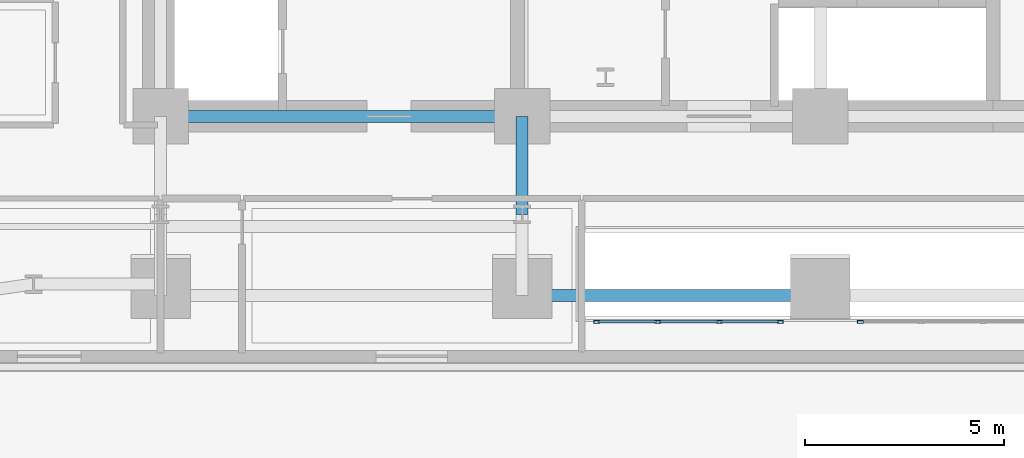
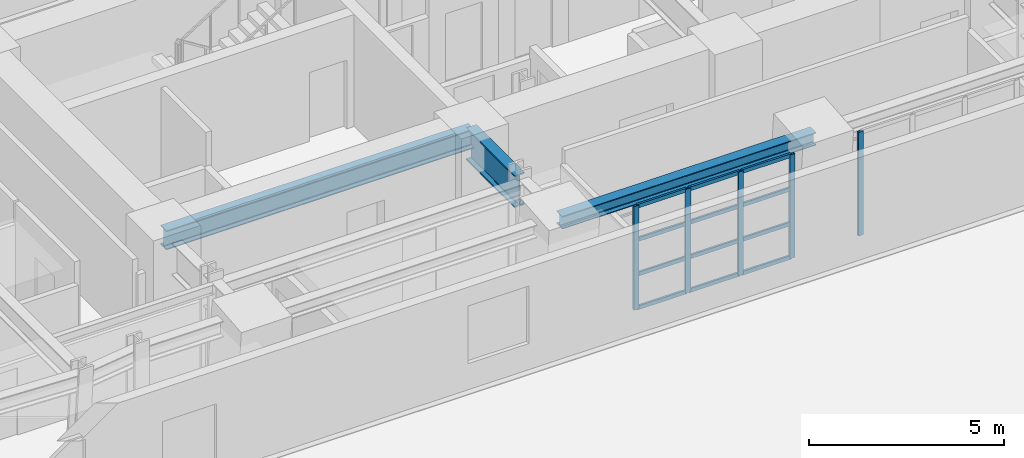
# One storey, part 2 of 15: 17 members, 3 beams, 2 elements without a shape of their own.
"""IFC4 building model written with IfcOpenShell, lengths in metres."""

from ifc_helpers import new_model, si_unit, direction, frame, origin, origin_2d, place, context, subcontext, project, spatial, hollow_rectangle, i_section, extrude, material, layer, layer_set, material_profile, profile_set, type_object, element, aggregate, save


model = new_model("IFC4")

# Units and contexts
model_context = context("Model", 3, precision=1e-05, world=origin(), true_north=direction((0.0, 1.0)))
body_context = subcontext(model_context, "Body", "Model", "MODEL_VIEW")
ifc_project = project(units=[si_unit("LENGTHUNIT", "METRE"), si_unit("AREAUNIT", "SQUARE_METRE"), si_unit("VOLUMEUNIT", "CUBIC_METRE"), si_unit("PLANEANGLEUNIT", "RADIAN"), si_unit("MASSUNIT", "GRAM", prefix="KILO")], contexts=[model_context])

# Site, building, storey
site_placement = place(None, origin())
site = spatial("IfcSite", under=ifc_project, at=site_placement, CompositionType="ELEMENT")
building_placement = place(site_placement, origin())
building = spatial("IfcBuilding", under=site, at=building_placement, Name="Zarnavel Station Tower", CompositionType="ELEMENT")
storey_placement = place(building_placement, frame((0.0, 0.0, 29.0)))
storey = spatial("IfcBuildingStorey", under=building, at=storey_placement, Name="L07", CompositionType="ELEMENT", Elevation=29.0)

# Curtain wall, members
ifc_material_1 = material(Name="Aluminium Dark Anodised and Solar-Control Glass", Category="aluminium")
ifc_layer = layer(ifc_material_1, 0.179931640625)
ifc_layer_set = layer_set([ifc_layer], Name="CWS2")
curtain_wall_type = type_object("IfcCurtainWallType", Name="CWS2", PredefinedType="NOTDEFINED", material=ifc_layer_set)
curtain_wall_1_placement = place(storey_placement, origin())
curtain_wall_1 = element("IfcCurtainWall", 1, at=curtain_wall_1_placement, inside=storey, type_object=curtain_wall_type, Name="L07 Curtain Wall CWS2-L07-AS-S1", PredefinedType="NOTDEFINED")
ifc_material_2 = material(Name="Steel S355J2 (Black Fluoropolymer Coated)", Category="steel")
ifc_material_profile_1 = material_profile(ifc_material_2, hollow_rectangle(XDim=0.074951171875, YDim=0.14990234375, WallThickness=0.00634765625, at=origin_2d()), Name="RHS150x75x6.3")
ifc_profile_set_1 = profile_set([ifc_material_profile_1], Name="Steel S355J2 (Black Fluoropolymer Coated)")
member_type_1 = type_object("IfcMemberType", Name="CWS2_MUL", PredefinedType="MULLION", material=ifc_profile_set_1)
member_1_placement = place(storey_placement, frame((23.179931640625, 22.64990234375, 0.0), z_axis=(0.0, 0.0, 1.0), x_axis=(0.0, 1.0, 0.0)))
member_1 = element("IfcMember", 2, at=member_1_placement, type_object=member_type_1, Name="CW2 mullion 1", PredefinedType="MULLION", context=body_context, shape_type="SweptSolid", body=[
    extrude(hollow_rectangle(XDim=0.074951171875, YDim=0.14990234375, WallThickness=0.00634765625, at=origin_2d()), origin(), (0.0, 0.0, 1.0), 3.239990234375),
])
member_2_placement = place(storey_placement, frame((24.706787109375, 22.64990234375, 0.0), z_axis=(0.0, 0.0, 1.0), x_axis=(0.0, 1.0, 0.0)))
member_2 = element("IfcMember", 3, at=member_2_placement, type_object=member_type_1, Name="CW2 mullion 2", PredefinedType="MULLION", context=body_context, shape_type="SweptSolid", body=[
    extrude(hollow_rectangle(XDim=0.074951171875, YDim=0.14990234375, WallThickness=0.00634765625, at=origin_2d()), origin(), (0.0, 0.0, 1.0), 3.239990234375),
])
member_3_placement = place(storey_placement, frame((26.263427734375, 22.64990234375, 0.0), z_axis=(0.0, 0.0, 1.0), x_axis=(0.0, 1.0, 0.0)))
member_3 = element("IfcMember", 4, at=member_3_placement, type_object=member_type_1, Name="CW2 mullion 3", PredefinedType="MULLION", context=body_context, shape_type="SweptSolid", body=[
    extrude(hollow_rectangle(XDim=0.074951171875, YDim=0.14990234375, WallThickness=0.00634765625, at=origin_2d()), origin(), (0.0, 0.0, 1.0), 3.239990234375),
])
member_4_placement = place(storey_placement, frame((27.7900390625, 22.64990234375, 0.0), z_axis=(0.0, 0.0, 1.0), x_axis=(0.0, 1.0, 0.0)))
member_4 = element("IfcMember", 5, at=member_4_placement, type_object=member_type_1, Name="CW2 mullion 4", PredefinedType="MULLION", context=body_context, shape_type="SweptSolid", body=[
    extrude(hollow_rectangle(XDim=0.074951171875, YDim=0.14990234375, WallThickness=0.00634765625, at=origin_2d()), origin(), (0.0, 0.0, 1.0), 3.239990234375),
])

# Curtain wall, member
curtain_wall_2_placement = place(storey_placement, origin())
curtain_wall_2 = element("IfcCurtainWall", 6, at=curtain_wall_2_placement, inside=storey, type_object=curtain_wall_type, Name="L07 Curtain Wall CWS2-L07-AS-S2", PredefinedType="NOTDEFINED")
member_5_placement = place(storey_placement, frame((29.81005859375, 22.64990234375, 0.0), z_axis=(0.0, 0.0, 1.0), x_axis=(0.0, 1.0, 0.0)))
member_5 = element("IfcMember", 7, at=member_5_placement, type_object=member_type_1, Name="CW2 mullion 1", PredefinedType="MULLION", context=body_context, shape_type="SweptSolid", body=[
    extrude(hollow_rectangle(XDim=0.074951171875, YDim=0.14990234375, WallThickness=0.00634765625, at=origin_2d()), origin(), (0.0, 0.0, 1.0), 3.239990234375),
])
aggregate(curtain_wall_2, [member_5])

# Member
ifc_material_3 = material(Name="Steel S355J2 (Black Fluoropolymer Coated)", Category="steel")
ifc_material_profile_2 = material_profile(ifc_material_3, hollow_rectangle(XDim=0.06005859375, YDim=0.1201171875, WallThickness=0.0048828125, at=origin_2d()), Name="RHS120x60x5")
ifc_profile_set_2 = profile_set([ifc_material_profile_2], Name="Steel S355J2 (Black Fluoropolymer Coated)")
member_type_2 = type_object("IfcMemberType", Name="CWS2_TRN", PredefinedType="USERDEFINED", material=ifc_profile_set_2)
member_6_placement = place(storey_placement, frame((23.2099609375, 22.64990234375, 0.030029296875), z_axis=(1.0, 0.0, 0.0), x_axis=(0.0, 1.0, 0.0)))
member_6 = element("IfcMember", 8, at=member_6_placement, type_object=member_type_2, Name="CW2 transom 1.1", ObjectType="TRANSOM", PredefinedType="USERDEFINED", context=body_context, shape_type="SweptSolid", body=[
    extrude(hollow_rectangle(XDim=0.06005859375, YDim=0.1201171875, WallThickness=0.0048828125, at=origin_2d()), origin(), (0.0, 0.0, 1.0), 1.466796875),
])

member_7_placement = place(storey_placement, frame((23.2099609375, 22.64990234375, 1.080078125), z_axis=(1.0, 0.0, 0.0), x_axis=(0.0, 1.0, 0.0)))
member_7 = element("IfcMember", 9, at=member_7_placement, type_object=member_type_2, Name="CW2 transom 1.2", ObjectType="TRANSOM", PredefinedType="USERDEFINED", context=body_context, shape_type="SweptSolid", body=[
    extrude(hollow_rectangle(XDim=0.06005859375, YDim=0.1201171875, WallThickness=0.0048828125, at=origin_2d()), origin(), (0.0, 0.0, 1.0), 1.466796875),
])

member_8_placement = place(storey_placement, frame((23.2099609375, 22.64990234375, 2.159912109375), z_axis=(1.0, 0.0, 0.0), x_axis=(0.0, 1.0, 0.0)))
member_8 = element("IfcMember", 10, at=member_8_placement, type_object=member_type_2, Name="CW2 transom 1.3", ObjectType="TRANSOM", PredefinedType="USERDEFINED", context=body_context, shape_type="SweptSolid", body=[
    extrude(hollow_rectangle(XDim=0.06005859375, YDim=0.1201171875, WallThickness=0.0048828125, at=origin_2d()), origin(), (0.0, 0.0, 1.0), 1.466796875),
])

member_9_placement = place(storey_placement, frame((23.2099609375, 22.64990234375, 3.2099609375), z_axis=(1.0, 0.0, 0.0), x_axis=(0.0, 1.0, 0.0)))
member_9 = element("IfcMember", 11, at=member_9_placement, type_object=member_type_2, Name="CW2 transom 1.4", ObjectType="TRANSOM", PredefinedType="USERDEFINED", context=body_context, shape_type="SweptSolid", body=[
    extrude(hollow_rectangle(XDim=0.06005859375, YDim=0.1201171875, WallThickness=0.0048828125, at=origin_2d()), origin(), (0.0, 0.0, 1.0), 1.466796875),
])

member_10_placement = place(storey_placement, frame((24.736572265625, 22.64990234375, 0.030029296875), z_axis=(1.0, 0.0, 0.0), x_axis=(0.0, 1.0, 0.0)))
member_10 = element("IfcMember", 12, at=member_10_placement, type_object=member_type_2, Name="CW2 transom 2.1", ObjectType="TRANSOM", PredefinedType="USERDEFINED", context=body_context, shape_type="SweptSolid", body=[
    extrude(hollow_rectangle(XDim=0.06005859375, YDim=0.1201171875, WallThickness=0.0048828125, at=origin_2d()), origin(), (0.0, 0.0, 1.0), 1.496826171875),
])

member_11_placement = place(storey_placement, frame((24.736572265625, 22.64990234375, 1.080078125), z_axis=(1.0, 0.0, 0.0), x_axis=(0.0, 1.0, 0.0)))
member_11 = element("IfcMember", 13, at=member_11_placement, type_object=member_type_2, Name="CW2 transom 2.2", ObjectType="TRANSOM", PredefinedType="USERDEFINED", context=body_context, shape_type="SweptSolid", body=[
    extrude(hollow_rectangle(XDim=0.06005859375, YDim=0.1201171875, WallThickness=0.0048828125, at=origin_2d()), origin(), (0.0, 0.0, 1.0), 1.496826171875),
])

member_12_placement = place(storey_placement, frame((24.736572265625, 22.64990234375, 2.159912109375), z_axis=(1.0, 0.0, 0.0), x_axis=(0.0, 1.0, 0.0)))
member_12 = element("IfcMember", 14, at=member_12_placement, type_object=member_type_2, Name="CW2 transom 2.3", ObjectType="TRANSOM", PredefinedType="USERDEFINED", context=body_context, shape_type="SweptSolid", body=[
    extrude(hollow_rectangle(XDim=0.06005859375, YDim=0.1201171875, WallThickness=0.0048828125, at=origin_2d()), origin(), (0.0, 0.0, 1.0), 1.496826171875),
])

member_13_placement = place(storey_placement, frame((24.736572265625, 22.64990234375, 3.2099609375), z_axis=(1.0, 0.0, 0.0), x_axis=(0.0, 1.0, 0.0)))
member_13 = element("IfcMember", 15, at=member_13_placement, type_object=member_type_2, Name="CW2 transom 2.4", ObjectType="TRANSOM", PredefinedType="USERDEFINED", context=body_context, shape_type="SweptSolid", body=[
    extrude(hollow_rectangle(XDim=0.06005859375, YDim=0.1201171875, WallThickness=0.0048828125, at=origin_2d()), origin(), (0.0, 0.0, 1.0), 1.496826171875),
])

member_14_placement = place(storey_placement, frame((26.293212890625, 22.64990234375, 0.030029296875), z_axis=(1.0, 0.0, 0.0), x_axis=(0.0, 1.0, 0.0)))
member_14 = element("IfcMember", 16, at=member_14_placement, type_object=member_type_2, Name="CW2 transom 3.1", ObjectType="TRANSOM", PredefinedType="USERDEFINED", context=body_context, shape_type="SweptSolid", body=[
    extrude(hollow_rectangle(XDim=0.06005859375, YDim=0.1201171875, WallThickness=0.0048828125, at=origin_2d()), origin(), (0.0, 0.0, 1.0), 1.466796875),
])

member_15_placement = place(storey_placement, frame((26.293212890625, 22.64990234375, 1.080078125), z_axis=(1.0, 0.0, 0.0), x_axis=(0.0, 1.0, 0.0)))
member_15 = element("IfcMember", 17, at=member_15_placement, type_object=member_type_2, Name="CW2 transom 3.2", ObjectType="TRANSOM", PredefinedType="USERDEFINED", context=body_context, shape_type="SweptSolid", body=[
    extrude(hollow_rectangle(XDim=0.06005859375, YDim=0.1201171875, WallThickness=0.0048828125, at=origin_2d()), origin(), (0.0, 0.0, 1.0), 1.466796875),
])

member_16_placement = place(storey_placement, frame((26.293212890625, 22.64990234375, 2.159912109375), z_axis=(1.0, 0.0, 0.0), x_axis=(0.0, 1.0, 0.0)))
member_16 = element("IfcMember", 18, at=member_16_placement, type_object=member_type_2, Name="CW2 transom 3.3", ObjectType="TRANSOM", PredefinedType="USERDEFINED", context=body_context, shape_type="SweptSolid", body=[
    extrude(hollow_rectangle(XDim=0.06005859375, YDim=0.1201171875, WallThickness=0.0048828125, at=origin_2d()), origin(), (0.0, 0.0, 1.0), 1.466796875),
])

member_17_placement = place(storey_placement, frame((26.293212890625, 22.64990234375, 3.2099609375), z_axis=(1.0, 0.0, 0.0), x_axis=(0.0, 1.0, 0.0)))
member_17 = element("IfcMember", 19, at=member_17_placement, type_object=member_type_2, Name="CW2 transom 3.4", ObjectType="TRANSOM", PredefinedType="USERDEFINED", context=body_context, shape_type="SweptSolid", body=[
    extrude(hollow_rectangle(XDim=0.06005859375, YDim=0.1201171875, WallThickness=0.0048828125, at=origin_2d()), origin(), (0.0, 0.0, 1.0), 1.466796875),
])

aggregate(curtain_wall_1, [member_1, member_2, member_3, member_4, member_6, member_7, member_8, member_9, member_10, member_11, member_12, member_13, member_14, member_15, member_16, member_17])

# Beams
ifc_material_4 = material(Name="Steel S355J2", Category="steel")
ifc_material_profile_3 = material_profile(ifc_material_4, i_section(OverallWidth=0.300048828125, OverallDepth=0.39990234375, WebThickness=0.013427734375, FlangeThickness=0.02392578125, FilletRadius=0.027099609375, at=origin_2d()), Name="HEB400")
ifc_profile_set_3 = profile_set([ifc_material_profile_3], Name="Steel S355J2")
beam_type_1 = type_object("IfcBeamType", Name="EB_HEB400", PredefinedType="SPANDREL", material=ifc_profile_set_3)
beam_1_placement = place(storey_placement, frame((21.300048828125, 23.306396484375, 3.0400390625), z_axis=(1.0, 0.0, 0.0), x_axis=(0.0, 1.0, 0.0)))
element("IfcBeam", 20, at=beam_1_placement, inside=storey, type_object=beam_type_1, Name="L07 South Raked Spandrel 2", PredefinedType="SPANDREL", context=body_context, shape_type="SweptSolid", body=[
    extrude(i_section(OverallWidth=0.300048828125, OverallDepth=0.39990234375, WebThickness=0.013427734375, FlangeThickness=0.02392578125, FilletRadius=0.027099609375, at=origin_2d()), origin(), (0.0, 0.0, 1.0), 7.5),
])
ifc_material_5 = material(Name="Steel S355J2", Category="steel")
ifc_material_profile_4 = material_profile(ifc_material_5, i_section(OverallWidth=0.300048828125, OverallDepth=0.60009765625, WebThickness=0.015380859375, FlangeThickness=0.030029296875, FilletRadius=0.027099609375, at=origin_2d()), Name="HEB600")
ifc_profile_set_4 = profile_set([ifc_material_profile_4], Name="Steel S355J2")
beam_type_2 = type_object("IfcBeamType", Name="FG_HEB600", PredefinedType="USERDEFINED", material=ifc_profile_set_4)
beam_2_placement = place(storey_placement, frame((12.199951171875, 27.820068359375, 2.93994140625), z_axis=(1.0, 0.0, 0.0), x_axis=(0.0, 1.0, 0.0)))
element("IfcBeam", 21, at=beam_2_placement, inside=storey, type_object=beam_type_2, Name="L07 Core Front Coupling Beam 1", ObjectType="GIRDER", PredefinedType="USERDEFINED", context=body_context, shape_type="SweptSolid", body=[
    extrude(i_section(OverallWidth=0.300048828125, OverallDepth=0.60009765625, WebThickness=0.015380859375, FlangeThickness=0.030029296875, FilletRadius=0.027099609375, at=origin_2d()), origin(), (0.0, 0.0, 1.0), 9.10009765625),
])
ifc_material_6 = material(Name="Steel S460M", Category="steel")
ifc_material_profile_5 = material_profile(ifc_material_6, i_section(OverallWidth=0.302001953125, OverallDepth=1.008056640625, WebThickness=0.02099609375, FlangeThickness=0.0400390625, FilletRadius=0.030029296875, at=origin_2d()), Name="HEM1000")
ifc_profile_set_5 = profile_set([ifc_material_profile_5], Name="Steel S460M")
beam_type_3 = type_object("IfcBeamType", Name="TG_HEM1000", PredefinedType="USERDEFINED", material=ifc_profile_set_5)
beam_3_placement = place(storey_placement, frame((21.300048828125, 25.35009765625, 2.736083984375), z_axis=(0.0, 1.0, 0.0), x_axis=(-1.0, 0.0, 0.0)))
element("IfcBeam", 22, at=beam_3_placement, inside=storey, type_object=beam_type_3, Name="L07 Inner-Zone NS Girder 2", ObjectType="GIRDER", PredefinedType="USERDEFINED", context=body_context, shape_type="SweptSolid", body=[
    extrude(i_section(OverallWidth=0.302001953125, OverallDepth=1.008056640625, WebThickness=0.02099609375, FlangeThickness=0.0400390625, FilletRadius=0.030029296875, at=origin_2d()), origin(), (0.0, 0.0, 1.0), 2.469970703125),
])

save(model, "model.ifc")
